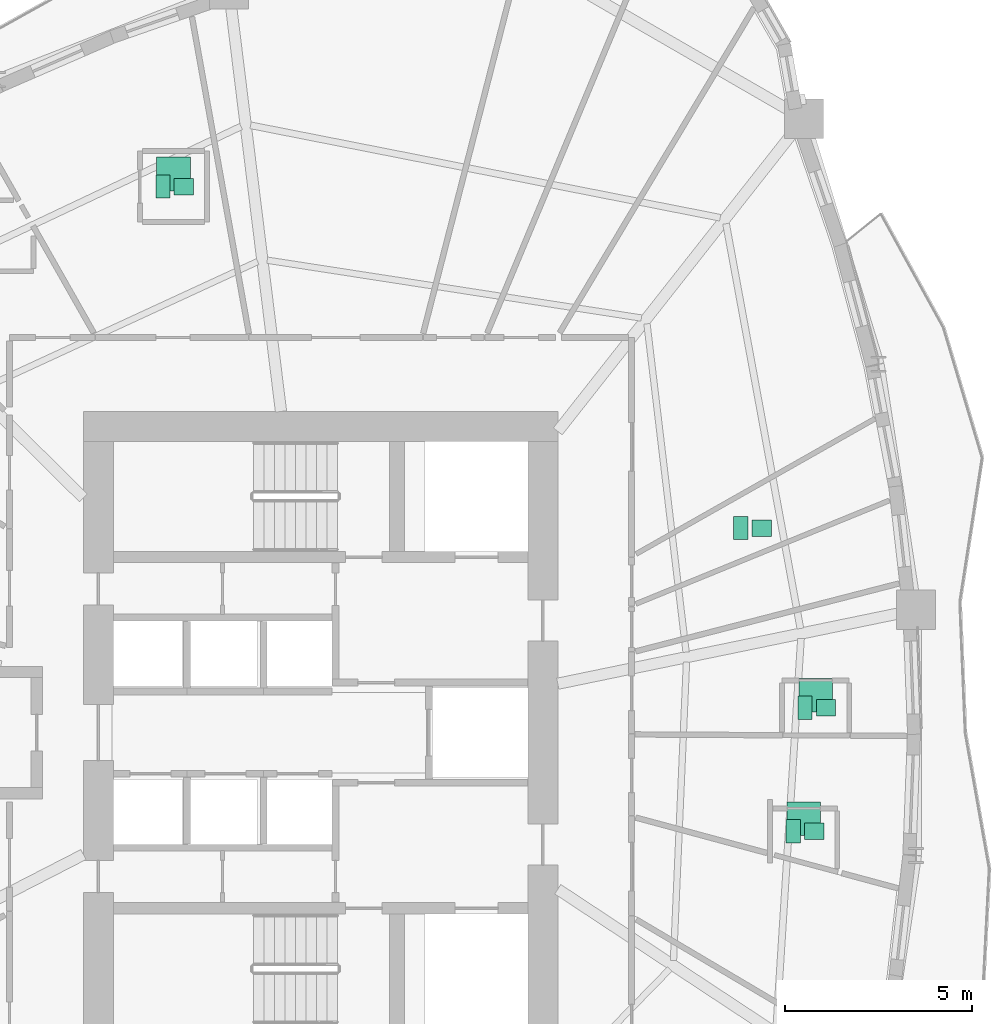
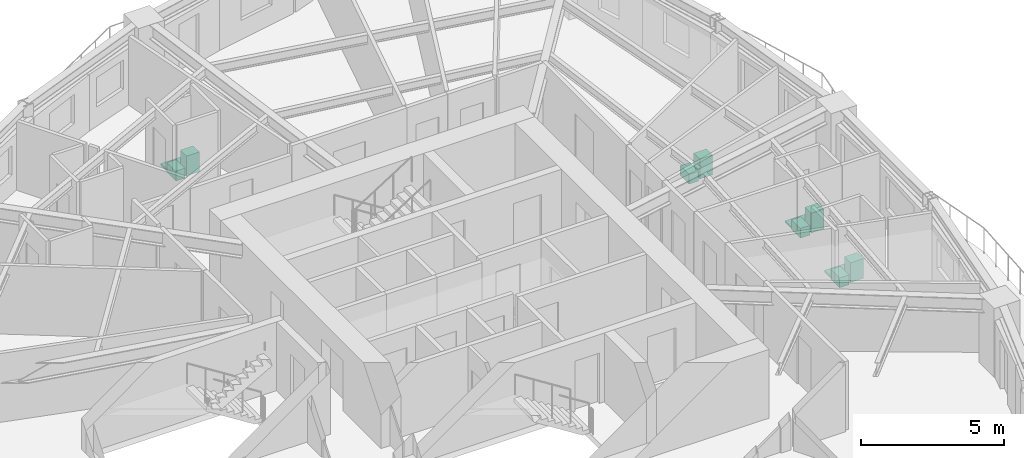
# One storey, part 13 of 13: 11 sanitary terminals.
"""IFC4 building model written with IfcOpenShell, lengths in metres."""

from ifc_helpers import new_model, si_unit, direction, frame, origin, origin_2d, place, context, subcontext, project, spatial, rectangle, extrude, source, transform, mapped, material, type_object, element, save


model = new_model("IFC4")

# Units and contexts
model_context = context("Model", 3, precision=1e-05, world=origin(), true_north=direction((0.0, 1.0)))
body_context = subcontext(model_context, "Body", "Model", "MODEL_VIEW")
ifc_project = project(units=[si_unit("LENGTHUNIT", "METRE"), si_unit("AREAUNIT", "SQUARE_METRE"), si_unit("VOLUMEUNIT", "CUBIC_METRE"), si_unit("PLANEANGLEUNIT", "RADIAN"), si_unit("MASSUNIT", "GRAM", prefix="KILO")], contexts=[model_context])

# Site, building, storey
site_placement = place(None, origin())
site = spatial("IfcSite", under=ifc_project, at=site_placement, CompositionType="ELEMENT")
building_placement = place(site_placement, origin())
building = spatial("IfcBuilding", under=site, at=building_placement, Name="Qafzar Sky-Pleat Residences", CompositionType="ELEMENT")
storey_placement = place(building_placement, frame((0.0, 0.0, 52.60009765625)))
storey = spatial("IfcBuildingStorey", under=building, at=storey_placement, Name="L15", CompositionType="ELEMENT", Elevation=52.60009765625)

# Sanitary terminals
ifc_material_1 = material(Name="Vitreous china sanitaryware")
sanitary_terminal_type_1 = type_object("IfcSanitaryTerminalType", Name="SAN-WC-PAN", PredefinedType="TOILETPAN", material=ifc_material_1)
shared_shape_1 = source(origin(), body_context, "Body", "SweptSolid", [
    extrude(rectangle(XDim=0.3798828125, YDim=0.6201171875, at=origin_2d()), origin(), (0.0, 0.0, 1.0), 0.419921875),
])
for number, where, z_axis, x_axis, name in (
    (1, (43.00390625, 23.359375, 0.0), (0.0, 0.0, 1.0), (1.0, 0.0, 0.0), "L15 En-suite Bathroom 3 WC Pan"),
    (2, (43.322021484375, 26.664794921875, 0.0), (0.0, 0.0, 1.0), (1.0, 0.0, 0.0), "L15 En-suite Bathroom 4 WC Pan"),
    (3, (41.5966796875, 31.474609375, 0.0), (0.0, 0.0, 1.0), (1.0, 0.0, 0.0), "L15 Accessible Shared Washroom WC Pan"),
    (4, (26.132080078125, 40.617919921875, 0.0), (0.0, 0.0, 1.0), (1.0, 0.0, 0.0), "L15 En-suite Bathroom 7 WC Pan"),
):
    element("IfcSanitaryTerminal", number, at=place(storey_placement, frame(where, z_axis=z_axis, x_axis=x_axis)), inside=storey, type_object=sanitary_terminal_type_1, Name=name, PredefinedType="TOILETPAN", context=body_context, shape_type="MappedRepresentation", body=[
        mapped(shared_shape_1, transform((0.0, 0.0, 0.0), x_axis=(1.0, 0.0, 0.0), y_axis=(0.0, 1.0, 0.0), z_axis=(0.0, 0.0, 1.0), scale=1.0)),
    ])
sanitary_terminal_type_2 = type_object("IfcSanitaryTerminalType", Name="SAN-BASIN", PredefinedType="WASHHANDBASIN", material=ifc_material_1)
shared_shape_2 = source(origin(), body_context, "Body", "SweptSolid", [
    extrude(rectangle(XDim=0.52001953125, YDim=0.43994140625, at=origin_2d()), origin(), (0.0, 0.0, 1.0), 0.840087890625),
])
for number, where, z_axis, x_axis, name in (
    (5, (43.56396484375, 23.359375, 0.0), (0.0, 0.0, 1.0), (1.0, 0.0, 0.0), "L15 En-suite Bathroom 3 Pedestal Washbasin"),
    (6, (43.882080078125, 26.664794921875, 0.0), (0.0, 0.0, 1.0), (1.0, 0.0, 0.0), "L15 En-suite Bathroom 4 Pedestal Washbasin"),
    (7, (42.15673828125, 31.474609375, 0.0), (0.0, 0.0, 1.0), (1.0, 0.0, 0.0), "L15 Accessible Shared Washroom Pedestal Washbasin"),
    (8, (26.69189453125, 40.617919921875, 0.0), (0.0, 0.0, 1.0), (1.0, 0.0, 0.0), "L15 En-suite Bathroom 7 Pedestal Washbasin"),
):
    element("IfcSanitaryTerminal", number, at=place(storey_placement, frame(where, z_axis=z_axis, x_axis=x_axis)), inside=storey, type_object=sanitary_terminal_type_2, Name=name, PredefinedType="WASHHANDBASIN", context=body_context, shape_type="MappedRepresentation", body=[
        mapped(shared_shape_2, transform((0.0, 0.0, 0.0), x_axis=(1.0, 0.0, 0.0), y_axis=(0.0, 1.0, 0.0), z_axis=(0.0, 0.0, 1.0), scale=1.0)),
    ])
ifc_material_2 = material(Name="Vitreous china and acrylic tray")
sanitary_terminal_type_3 = type_object("IfcSanitaryTerminalType", Name="SAN-SHOWER", PredefinedType="SHOWER", material=ifc_material_2)
shared_shape_3 = source(origin(), body_context, "Body", "SweptSolid", [
    extrude(rectangle(XDim=0.89990234375, YDim=0.89990234375, at=origin_2d()), origin(), (0.0, 0.0, 1.0), 0.080078125),
])
for number, where, z_axis, x_axis, name in (
    (9, (43.283935546875, 23.69921875, -0.000244140625), (0.0, 0.0, 1.0), (1.0, 0.0, 0.0), "L15 En-suite Bathroom 3 Walk-In Shower"),
    (10, (43.60205078125, 27.0048828125, -0.000244140625), (0.0, 0.0, 1.0), (1.0, 0.0, 0.0), "L15 En-suite Bathroom 4 Walk-In Shower"),
    (11, (26.412109375, 40.9580078125, -0.000244140625), (0.0, 0.0, 1.0), (1.0, 0.0, 0.0), "L15 En-suite Bathroom 7 Walk-In Shower"),
):
    element("IfcSanitaryTerminal", number, at=place(storey_placement, frame(where, z_axis=z_axis, x_axis=x_axis)), inside=storey, type_object=sanitary_terminal_type_3, Name=name, PredefinedType="SHOWER", context=body_context, shape_type="MappedRepresentation", body=[
        mapped(shared_shape_3, transform((0.0, 0.0, 0.0), x_axis=(1.0, 0.0, 0.0), y_axis=(0.0, 1.0, 0.0), z_axis=(0.0, 0.0, 1.0), scale=1.0)),
    ])

save(model, "model.ifc")
